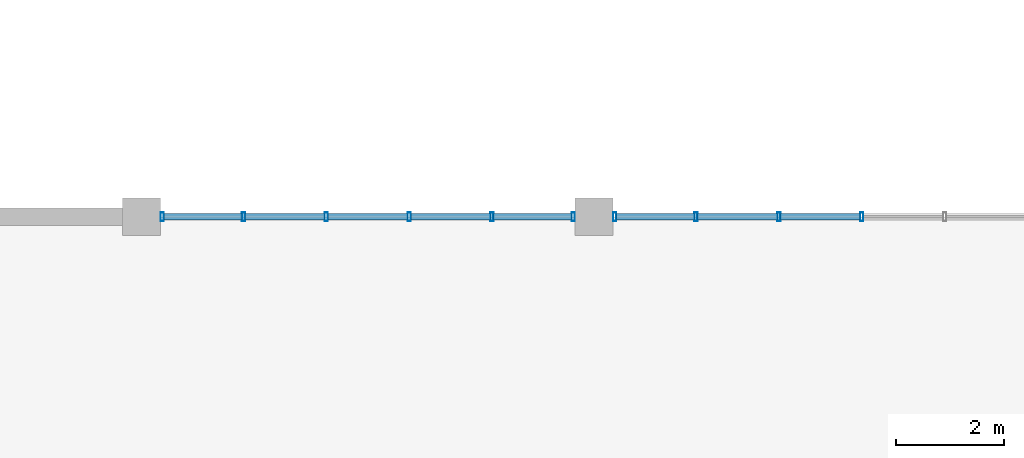
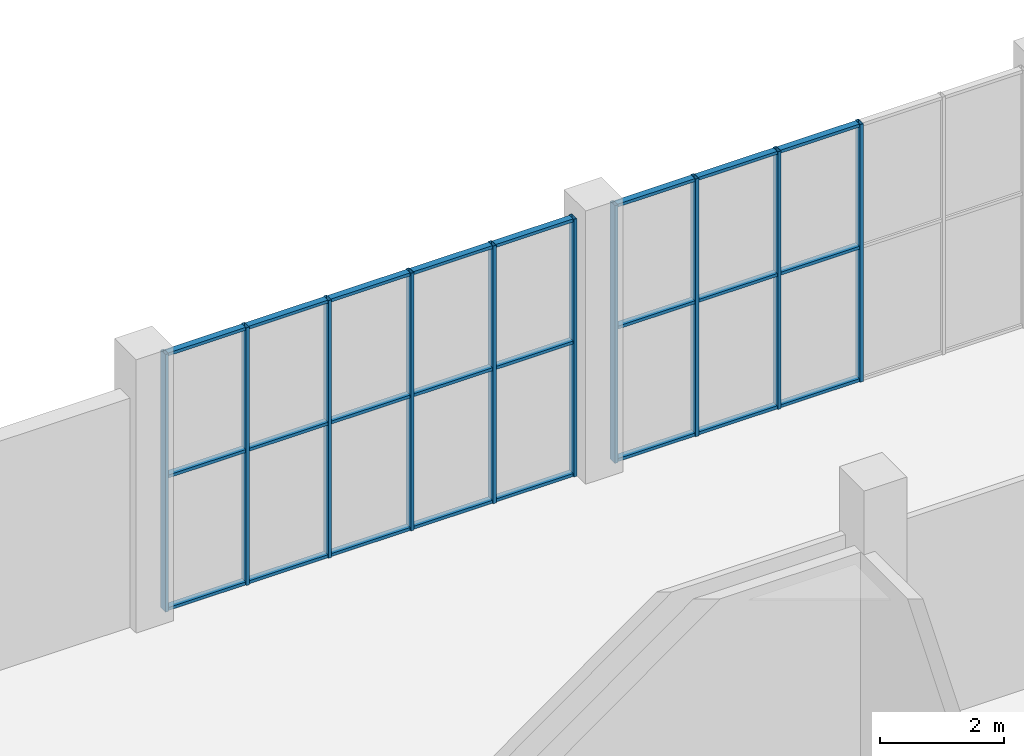
# One storey, part 41 of 91: 34 members, 2 elements without a shape of their own.
"""IFC4 building model written with IfcOpenShell, lengths in metres."""

from ifc_helpers import new_model, si_unit, direction, frame, origin, origin_2d, place, context, subcontext, project, spatial, hollow_rectangle, extrude, material, material_profile, profile_set, type_object, element, aggregate, save


model = new_model("IFC4")

# Units and contexts
model_context = context("Model", 3, precision=1e-05, world=origin(), true_north=direction((0.0, 1.0)))
body_context = subcontext(model_context, "Body", "Model", "MODEL_VIEW")
ifc_project = project(units=[si_unit("LENGTHUNIT", "METRE"), si_unit("AREAUNIT", "SQUARE_METRE"), si_unit("VOLUMEUNIT", "CUBIC_METRE"), si_unit("PLANEANGLEUNIT", "RADIAN"), si_unit("MASSUNIT", "GRAM", prefix="KILO")], contexts=[model_context])

# Site, building, storey
site_placement = place(None, origin())
site = spatial("IfcSite", under=ifc_project, at=site_placement, CompositionType="ELEMENT")
building_placement = place(site_placement, origin())
building = spatial("IfcBuilding", under=site, at=building_placement, Name="Khurvash Pelagic Aquarium", CompositionType="ELEMENT")
storey_placement = place(building_placement, origin())
storey = spatial("IfcBuildingStorey", under=building, at=storey_placement, Name="L00", CompositionType="ELEMENT", Elevation=0.0)

# Curtain wall, members
ifc_material_1 = material(Name="Anodised aluminium and low-E laminated glass", Category="aluminium")
curtain_wall_type = type_object("IfcCurtainWallType", Name="CW-02", PredefinedType="USERDEFINED", material=ifc_material_1)
curtain_wall_1_placement = place(storey_placement, origin())
curtain_wall_1 = element("IfcCurtainWall", 1, at=curtain_wall_1_placement, inside=storey, type_object=curtain_wall_type, Name="L00 Facade Unitised Curtain Wall CW-02 0069", ObjectType="UNITISED CURTAIN WALL", PredefinedType="USERDEFINED")
ifc_material_2 = material(Name="Extruded aluminium AW-6063-T6", Category="aluminium")
ifc_material_profile_1 = material_profile(ifc_material_2, hollow_rectangle(XDim=0.06005859375, YDim=0.159912109375, WallThickness=0.00390625, at=origin_2d()), Name="CWM60X160X4")
ifc_profile_set_1 = profile_set([ifc_material_profile_1], Name="Extruded aluminium AW-6063-T6")
member_type_1 = type_object("IfcMemberType", Name="CM-02", PredefinedType="MULLION", material=ifc_profile_set_1)
member_1_placement = place(storey_placement, frame((21.76904296875, 102.14990234375, 0.0), z_axis=(0.0, 0.0, 1.0), x_axis=(-1.0, 0.0, 0.0)))
member_1 = element("IfcMember", 2, at=member_1_placement, type_object=member_type_1, Name="CW-02 mullion 3", PredefinedType="MULLION", context=body_context, shape_type="SweptSolid", body=[
    extrude(hollow_rectangle(XDim=0.06005859375, YDim=0.159912109375, WallThickness=0.00390625, at=origin_2d()), origin(), (0.0, 0.0, 1.0), 5.090087890625),
])
member_2_placement = place(storey_placement, frame((20.23095703125, 102.14990234375, 0.0), z_axis=(0.0, 0.0, 1.0), x_axis=(-1.0, 0.0, 0.0)))
member_2 = element("IfcMember", 3, at=member_2_placement, type_object=member_type_1, Name="CW-02 mullion 4", PredefinedType="MULLION", context=body_context, shape_type="SweptSolid", body=[
    extrude(hollow_rectangle(XDim=0.06005859375, YDim=0.159912109375, WallThickness=0.00390625, at=origin_2d()), origin(), (0.0, 0.0, 1.0), 5.090087890625),
])
member_3_placement = place(storey_placement, frame((18.693115234375, 102.14990234375, 0.0), z_axis=(0.0, 0.0, 1.0), x_axis=(-1.0, 0.0, 0.0)))
member_3 = element("IfcMember", 4, at=member_3_placement, type_object=member_type_1, Name="CW-02 mullion 5", PredefinedType="MULLION", context=body_context, shape_type="SweptSolid", body=[
    extrude(hollow_rectangle(XDim=0.06005859375, YDim=0.159912109375, WallThickness=0.00390625, at=origin_2d()), origin(), (0.0, 0.0, 1.0), 5.090087890625),
])
member_4_placement = place(storey_placement, frame((17.18505859375, 102.14990234375, 0.0), z_axis=(0.0, 0.0, 1.0), x_axis=(-1.0, 0.0, 0.0)))
member_4 = element("IfcMember", 5, at=member_4_placement, type_object=member_type_1, Name="CW-02 mullion 6", PredefinedType="MULLION", context=body_context, shape_type="SweptSolid", body=[
    extrude(hollow_rectangle(XDim=0.06005859375, YDim=0.159912109375, WallThickness=0.00390625, at=origin_2d()), origin(), (0.0, 0.0, 1.0), 5.090087890625),
])

curtain_wall_2_placement = place(storey_placement, origin())
curtain_wall_2 = element("IfcCurtainWall", 6, at=curtain_wall_2_placement, inside=storey, type_object=curtain_wall_type, Name="L00 Facade Unitised Curtain Wall CW-02 0070", ObjectType="UNITISED CURTAIN WALL", PredefinedType="USERDEFINED")
member_5_placement = place(storey_placement, frame((16.4150390625, 102.14990234375, 0.0), z_axis=(0.0, 0.0, 1.0), x_axis=(-1.0, 0.0, 0.0)))
member_5 = element("IfcMember", 7, at=member_5_placement, type_object=member_type_1, Name="CW-02 mullion 1", PredefinedType="MULLION", context=body_context, shape_type="SweptSolid", body=[
    extrude(hollow_rectangle(XDim=0.06005859375, YDim=0.159912109375, WallThickness=0.00390625, at=origin_2d()), origin(), (0.0, 0.0, 1.0), 5.090087890625),
])
member_6_placement = place(storey_placement, frame((14.906982421875, 102.14990234375, 0.0), z_axis=(0.0, 0.0, 1.0), x_axis=(-1.0, 0.0, 0.0)))
member_6 = element("IfcMember", 8, at=member_6_placement, type_object=member_type_1, Name="CW-02 mullion 2", PredefinedType="MULLION", context=body_context, shape_type="SweptSolid", body=[
    extrude(hollow_rectangle(XDim=0.06005859375, YDim=0.159912109375, WallThickness=0.00390625, at=origin_2d()), origin(), (0.0, 0.0, 1.0), 5.090087890625),
])
member_7_placement = place(storey_placement, frame((13.368896484375, 102.14990234375, 0.0), z_axis=(0.0, 0.0, 1.0), x_axis=(-1.0, 0.0, 0.0)))
member_7 = element("IfcMember", 9, at=member_7_placement, type_object=member_type_1, Name="CW-02 mullion 3", PredefinedType="MULLION", context=body_context, shape_type="SweptSolid", body=[
    extrude(hollow_rectangle(XDim=0.06005859375, YDim=0.159912109375, WallThickness=0.00390625, at=origin_2d()), origin(), (0.0, 0.0, 1.0), 5.090087890625),
])
member_8_placement = place(storey_placement, frame((11.8310546875, 102.14990234375, 0.0), z_axis=(0.0, 0.0, 1.0), x_axis=(-1.0, 0.0, 0.0)))
member_8 = element("IfcMember", 10, at=member_8_placement, type_object=member_type_1, Name="CW-02 mullion 4", PredefinedType="MULLION", context=body_context, shape_type="SweptSolid", body=[
    extrude(hollow_rectangle(XDim=0.06005859375, YDim=0.159912109375, WallThickness=0.00390625, at=origin_2d()), origin(), (0.0, 0.0, 1.0), 5.090087890625),
])
member_9_placement = place(storey_placement, frame((10.29296875, 102.14990234375, 0.0), z_axis=(0.0, 0.0, 1.0), x_axis=(-1.0, 0.0, 0.0)))
member_9 = element("IfcMember", 11, at=member_9_placement, type_object=member_type_1, Name="CW-02 mullion 5", PredefinedType="MULLION", context=body_context, shape_type="SweptSolid", body=[
    extrude(hollow_rectangle(XDim=0.06005859375, YDim=0.159912109375, WallThickness=0.00390625, at=origin_2d()), origin(), (0.0, 0.0, 1.0), 5.090087890625),
])
member_10_placement = place(storey_placement, frame((8.784912109375, 102.14990234375, 0.0), z_axis=(0.0, 0.0, 1.0), x_axis=(-1.0, 0.0, 0.0)))
member_10 = element("IfcMember", 12, at=member_10_placement, type_object=member_type_1, Name="CW-02 mullion 6", PredefinedType="MULLION", context=body_context, shape_type="SweptSolid", body=[
    extrude(hollow_rectangle(XDim=0.06005859375, YDim=0.159912109375, WallThickness=0.00390625, at=origin_2d()), origin(), (0.0, 0.0, 1.0), 5.090087890625),
])

# Member
ifc_material_profile_2 = material_profile(ifc_material_2, hollow_rectangle(XDim=0.1201171875, YDim=0.06005859375, WallThickness=0.00390625, at=origin_2d()), Name="CWT120X60X4")
ifc_profile_set_2 = profile_set([ifc_material_profile_2], Name="Extruded aluminium AW-6063-T6")
member_type_2 = type_object("IfcMemberType", Name="CT-02", PredefinedType="USERDEFINED", material=ifc_profile_set_2)
member_11_placement = place(storey_placement, frame((21.739013671875, 102.14990234375, 0.030029296875), z_axis=(-1.0, 0.0, 0.0), x_axis=(0.0, -1.0, 0.0)))
member_11 = element("IfcMember", 13, at=member_11_placement, type_object=member_type_2, Name="CW-02 transom 3.1", ObjectType="TRANSOM", PredefinedType="USERDEFINED", context=body_context, shape_type="SweptSolid", body=[
    extrude(hollow_rectangle(XDim=0.1201171875, YDim=0.06005859375, WallThickness=0.00390625, at=origin_2d()), origin(), (0.0, 0.0, 1.0), 1.47802734375),
])

member_12_placement = place(storey_placement, frame((21.739013671875, 102.14990234375, 2.64697265625), z_axis=(-1.0, 0.0, 0.0), x_axis=(0.0, -1.0, 0.0)))
member_12 = element("IfcMember", 14, at=member_12_placement, type_object=member_type_2, Name="CW-02 transom 3.2", ObjectType="TRANSOM", PredefinedType="USERDEFINED", context=body_context, shape_type="SweptSolid", body=[
    extrude(hollow_rectangle(XDim=0.1201171875, YDim=0.06005859375, WallThickness=0.00390625, at=origin_2d()), origin(), (0.0, 0.0, 1.0), 1.47802734375),
])

member_13_placement = place(storey_placement, frame((21.739013671875, 102.14990234375, 5.06005859375), z_axis=(-1.0, 0.0, 0.0), x_axis=(0.0, -1.0, 0.0)))
member_13 = element("IfcMember", 15, at=member_13_placement, type_object=member_type_2, Name="CW-02 transom 3.3", ObjectType="TRANSOM", PredefinedType="USERDEFINED", context=body_context, shape_type="SweptSolid", body=[
    extrude(hollow_rectangle(XDim=0.1201171875, YDim=0.06005859375, WallThickness=0.00390625, at=origin_2d()), origin(), (0.0, 0.0, 1.0), 1.47802734375),
])

member_14_placement = place(storey_placement, frame((20.200927734375, 102.14990234375, 0.030029296875), z_axis=(-1.0, 0.0, 0.0), x_axis=(0.0, -1.0, 0.0)))
member_14 = element("IfcMember", 16, at=member_14_placement, type_object=member_type_2, Name="CW-02 transom 4.1", ObjectType="TRANSOM", PredefinedType="USERDEFINED", context=body_context, shape_type="SweptSolid", body=[
    extrude(hollow_rectangle(XDim=0.1201171875, YDim=0.06005859375, WallThickness=0.00390625, at=origin_2d()), origin(), (0.0, 0.0, 1.0), 1.47802734375),
])

member_15_placement = place(storey_placement, frame((20.200927734375, 102.14990234375, 2.64697265625), z_axis=(-1.0, 0.0, 0.0), x_axis=(0.0, -1.0, 0.0)))
member_15 = element("IfcMember", 17, at=member_15_placement, type_object=member_type_2, Name="CW-02 transom 4.2", ObjectType="TRANSOM", PredefinedType="USERDEFINED", context=body_context, shape_type="SweptSolid", body=[
    extrude(hollow_rectangle(XDim=0.1201171875, YDim=0.06005859375, WallThickness=0.00390625, at=origin_2d()), origin(), (0.0, 0.0, 1.0), 1.47802734375),
])

member_16_placement = place(storey_placement, frame((20.200927734375, 102.14990234375, 5.06005859375), z_axis=(-1.0, 0.0, 0.0), x_axis=(0.0, -1.0, 0.0)))
member_16 = element("IfcMember", 18, at=member_16_placement, type_object=member_type_2, Name="CW-02 transom 4.3", ObjectType="TRANSOM", PredefinedType="USERDEFINED", context=body_context, shape_type="SweptSolid", body=[
    extrude(hollow_rectangle(XDim=0.1201171875, YDim=0.06005859375, WallThickness=0.00390625, at=origin_2d()), origin(), (0.0, 0.0, 1.0), 1.47802734375),
])

member_17_placement = place(storey_placement, frame((18.6630859375, 102.14990234375, 0.030029296875), z_axis=(-1.0, 0.0, 0.0), x_axis=(0.0, -1.0, 0.0)))
member_17 = element("IfcMember", 19, at=member_17_placement, type_object=member_type_2, Name="CW-02 transom 5.1", ObjectType="TRANSOM", PredefinedType="USERDEFINED", context=body_context, shape_type="SweptSolid", body=[
    extrude(hollow_rectangle(XDim=0.1201171875, YDim=0.06005859375, WallThickness=0.00390625, at=origin_2d()), origin(), (0.0, 0.0, 1.0), 1.447998046875),
])

member_18_placement = place(storey_placement, frame((18.6630859375, 102.14990234375, 2.64697265625), z_axis=(-1.0, 0.0, 0.0), x_axis=(0.0, -1.0, 0.0)))
member_18 = element("IfcMember", 20, at=member_18_placement, type_object=member_type_2, Name="CW-02 transom 5.2", ObjectType="TRANSOM", PredefinedType="USERDEFINED", context=body_context, shape_type="SweptSolid", body=[
    extrude(hollow_rectangle(XDim=0.1201171875, YDim=0.06005859375, WallThickness=0.00390625, at=origin_2d()), origin(), (0.0, 0.0, 1.0), 1.447998046875),
])

member_19_placement = place(storey_placement, frame((18.6630859375, 102.14990234375, 5.06005859375), z_axis=(-1.0, 0.0, 0.0), x_axis=(0.0, -1.0, 0.0)))
member_19 = element("IfcMember", 21, at=member_19_placement, type_object=member_type_2, Name="CW-02 transom 5.3", ObjectType="TRANSOM", PredefinedType="USERDEFINED", context=body_context, shape_type="SweptSolid", body=[
    extrude(hollow_rectangle(XDim=0.1201171875, YDim=0.06005859375, WallThickness=0.00390625, at=origin_2d()), origin(), (0.0, 0.0, 1.0), 1.447998046875),
])

aggregate(curtain_wall_1, [member_1, member_2, member_3, member_4, member_11, member_12, member_13, member_14, member_15, member_16, member_17, member_18, member_19])

member_20_placement = place(storey_placement, frame((16.385009765625, 102.14990234375, 0.030029296875), z_axis=(-1.0, 0.0, 0.0), x_axis=(0.0, -1.0, 0.0)))
member_20 = element("IfcMember", 22, at=member_20_placement, type_object=member_type_2, Name="CW-02 transom 1.1", ObjectType="TRANSOM", PredefinedType="USERDEFINED", context=body_context, shape_type="SweptSolid", body=[
    extrude(hollow_rectangle(XDim=0.1201171875, YDim=0.06005859375, WallThickness=0.00390625, at=origin_2d()), origin(), (0.0, 0.0, 1.0), 1.447998046875),
])

member_21_placement = place(storey_placement, frame((16.385009765625, 102.14990234375, 2.64697265625), z_axis=(-1.0, 0.0, 0.0), x_axis=(0.0, -1.0, 0.0)))
member_21 = element("IfcMember", 23, at=member_21_placement, type_object=member_type_2, Name="CW-02 transom 1.2", ObjectType="TRANSOM", PredefinedType="USERDEFINED", context=body_context, shape_type="SweptSolid", body=[
    extrude(hollow_rectangle(XDim=0.1201171875, YDim=0.06005859375, WallThickness=0.00390625, at=origin_2d()), origin(), (0.0, 0.0, 1.0), 1.447998046875),
])

member_22_placement = place(storey_placement, frame((16.385009765625, 102.14990234375, 5.06005859375), z_axis=(-1.0, 0.0, 0.0), x_axis=(0.0, -1.0, 0.0)))
member_22 = element("IfcMember", 24, at=member_22_placement, type_object=member_type_2, Name="CW-02 transom 1.3", ObjectType="TRANSOM", PredefinedType="USERDEFINED", context=body_context, shape_type="SweptSolid", body=[
    extrude(hollow_rectangle(XDim=0.1201171875, YDim=0.06005859375, WallThickness=0.00390625, at=origin_2d()), origin(), (0.0, 0.0, 1.0), 1.447998046875),
])

member_23_placement = place(storey_placement, frame((14.876953125, 102.14990234375, 0.030029296875), z_axis=(-1.0, 0.0, 0.0), x_axis=(0.0, -1.0, 0.0)))
member_23 = element("IfcMember", 25, at=member_23_placement, type_object=member_type_2, Name="CW-02 transom 2.1", ObjectType="TRANSOM", PredefinedType="USERDEFINED", context=body_context, shape_type="SweptSolid", body=[
    extrude(hollow_rectangle(XDim=0.1201171875, YDim=0.06005859375, WallThickness=0.00390625, at=origin_2d()), origin(), (0.0, 0.0, 1.0), 1.47802734375),
])

member_24_placement = place(storey_placement, frame((14.876953125, 102.14990234375, 2.64697265625), z_axis=(-1.0, 0.0, 0.0), x_axis=(0.0, -1.0, 0.0)))
member_24 = element("IfcMember", 26, at=member_24_placement, type_object=member_type_2, Name="CW-02 transom 2.2", ObjectType="TRANSOM", PredefinedType="USERDEFINED", context=body_context, shape_type="SweptSolid", body=[
    extrude(hollow_rectangle(XDim=0.1201171875, YDim=0.06005859375, WallThickness=0.00390625, at=origin_2d()), origin(), (0.0, 0.0, 1.0), 1.47802734375),
])

member_25_placement = place(storey_placement, frame((14.876953125, 102.14990234375, 5.06005859375), z_axis=(-1.0, 0.0, 0.0), x_axis=(0.0, -1.0, 0.0)))
member_25 = element("IfcMember", 27, at=member_25_placement, type_object=member_type_2, Name="CW-02 transom 2.3", ObjectType="TRANSOM", PredefinedType="USERDEFINED", context=body_context, shape_type="SweptSolid", body=[
    extrude(hollow_rectangle(XDim=0.1201171875, YDim=0.06005859375, WallThickness=0.00390625, at=origin_2d()), origin(), (0.0, 0.0, 1.0), 1.47802734375),
])

member_26_placement = place(storey_placement, frame((13.339111328125, 102.14990234375, 0.030029296875), z_axis=(-1.0, 0.0, 0.0), x_axis=(0.0, -1.0, 0.0)))
member_26 = element("IfcMember", 28, at=member_26_placement, type_object=member_type_2, Name="CW-02 transom 3.1", ObjectType="TRANSOM", PredefinedType="USERDEFINED", context=body_context, shape_type="SweptSolid", body=[
    extrude(hollow_rectangle(XDim=0.1201171875, YDim=0.06005859375, WallThickness=0.00390625, at=origin_2d()), origin(), (0.0, 0.0, 1.0), 1.47802734375),
])

member_27_placement = place(storey_placement, frame((13.339111328125, 102.14990234375, 2.64697265625), z_axis=(-1.0, 0.0, 0.0), x_axis=(0.0, -1.0, 0.0)))
member_27 = element("IfcMember", 29, at=member_27_placement, type_object=member_type_2, Name="CW-02 transom 3.2", ObjectType="TRANSOM", PredefinedType="USERDEFINED", context=body_context, shape_type="SweptSolid", body=[
    extrude(hollow_rectangle(XDim=0.1201171875, YDim=0.06005859375, WallThickness=0.00390625, at=origin_2d()), origin(), (0.0, 0.0, 1.0), 1.47802734375),
])

member_28_placement = place(storey_placement, frame((13.339111328125, 102.14990234375, 5.06005859375), z_axis=(-1.0, 0.0, 0.0), x_axis=(0.0, -1.0, 0.0)))
member_28 = element("IfcMember", 30, at=member_28_placement, type_object=member_type_2, Name="CW-02 transom 3.3", ObjectType="TRANSOM", PredefinedType="USERDEFINED", context=body_context, shape_type="SweptSolid", body=[
    extrude(hollow_rectangle(XDim=0.1201171875, YDim=0.06005859375, WallThickness=0.00390625, at=origin_2d()), origin(), (0.0, 0.0, 1.0), 1.47802734375),
])

member_29_placement = place(storey_placement, frame((11.801025390625, 102.14990234375, 0.030029296875), z_axis=(-1.0, 0.0, 0.0), x_axis=(0.0, -1.0, 0.0)))
member_29 = element("IfcMember", 31, at=member_29_placement, type_object=member_type_2, Name="CW-02 transom 4.1", ObjectType="TRANSOM", PredefinedType="USERDEFINED", context=body_context, shape_type="SweptSolid", body=[
    extrude(hollow_rectangle(XDim=0.1201171875, YDim=0.06005859375, WallThickness=0.00390625, at=origin_2d()), origin(), (0.0, 0.0, 1.0), 1.47802734375),
])

member_30_placement = place(storey_placement, frame((11.801025390625, 102.14990234375, 2.64697265625), z_axis=(-1.0, 0.0, 0.0), x_axis=(0.0, -1.0, 0.0)))
member_30 = element("IfcMember", 32, at=member_30_placement, type_object=member_type_2, Name="CW-02 transom 4.2", ObjectType="TRANSOM", PredefinedType="USERDEFINED", context=body_context, shape_type="SweptSolid", body=[
    extrude(hollow_rectangle(XDim=0.1201171875, YDim=0.06005859375, WallThickness=0.00390625, at=origin_2d()), origin(), (0.0, 0.0, 1.0), 1.47802734375),
])

member_31_placement = place(storey_placement, frame((11.801025390625, 102.14990234375, 5.06005859375), z_axis=(-1.0, 0.0, 0.0), x_axis=(0.0, -1.0, 0.0)))
member_31 = element("IfcMember", 33, at=member_31_placement, type_object=member_type_2, Name="CW-02 transom 4.3", ObjectType="TRANSOM", PredefinedType="USERDEFINED", context=body_context, shape_type="SweptSolid", body=[
    extrude(hollow_rectangle(XDim=0.1201171875, YDim=0.06005859375, WallThickness=0.00390625, at=origin_2d()), origin(), (0.0, 0.0, 1.0), 1.47802734375),
])

member_32_placement = place(storey_placement, frame((10.262939453125, 102.14990234375, 0.030029296875), z_axis=(-1.0, 0.0, 0.0), x_axis=(0.0, -1.0, 0.0)))
member_32 = element("IfcMember", 34, at=member_32_placement, type_object=member_type_2, Name="CW-02 transom 5.1", ObjectType="TRANSOM", PredefinedType="USERDEFINED", context=body_context, shape_type="SweptSolid", body=[
    extrude(hollow_rectangle(XDim=0.1201171875, YDim=0.06005859375, WallThickness=0.00390625, at=origin_2d()), origin(), (0.0, 0.0, 1.0), 1.447998046875),
])

member_33_placement = place(storey_placement, frame((10.262939453125, 102.14990234375, 2.64697265625), z_axis=(-1.0, 0.0, 0.0), x_axis=(0.0, -1.0, 0.0)))
member_33 = element("IfcMember", 35, at=member_33_placement, type_object=member_type_2, Name="CW-02 transom 5.2", ObjectType="TRANSOM", PredefinedType="USERDEFINED", context=body_context, shape_type="SweptSolid", body=[
    extrude(hollow_rectangle(XDim=0.1201171875, YDim=0.06005859375, WallThickness=0.00390625, at=origin_2d()), origin(), (0.0, 0.0, 1.0), 1.447998046875),
])

member_34_placement = place(storey_placement, frame((10.262939453125, 102.14990234375, 5.06005859375), z_axis=(-1.0, 0.0, 0.0), x_axis=(0.0, -1.0, 0.0)))
member_34 = element("IfcMember", 36, at=member_34_placement, type_object=member_type_2, Name="CW-02 transom 5.3", ObjectType="TRANSOM", PredefinedType="USERDEFINED", context=body_context, shape_type="SweptSolid", body=[
    extrude(hollow_rectangle(XDim=0.1201171875, YDim=0.06005859375, WallThickness=0.00390625, at=origin_2d()), origin(), (0.0, 0.0, 1.0), 1.447998046875),
])

aggregate(curtain_wall_2, [member_5, member_6, member_7, member_8, member_9, member_10, member_20, member_21, member_22, member_23, member_24, member_25, member_26, member_27, member_28, member_29, member_30, member_31, member_32, member_33, member_34])

save(model, "model.ifc")
